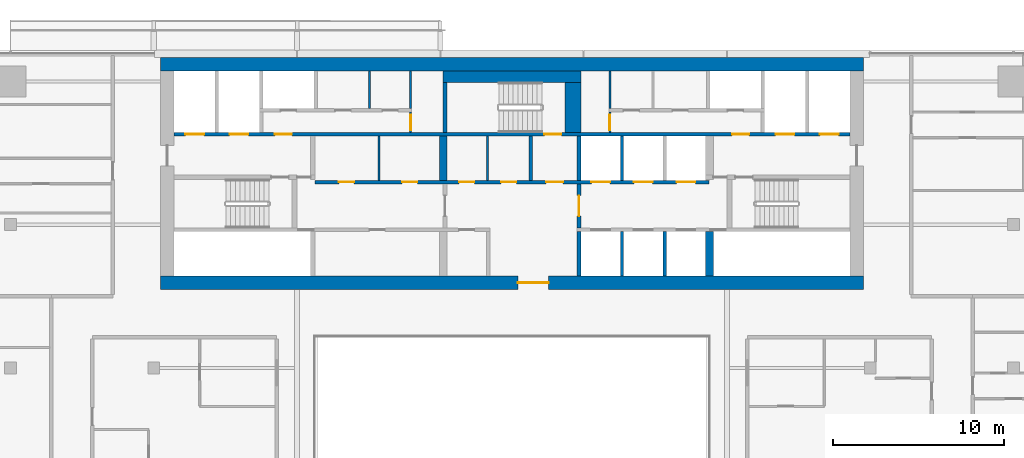
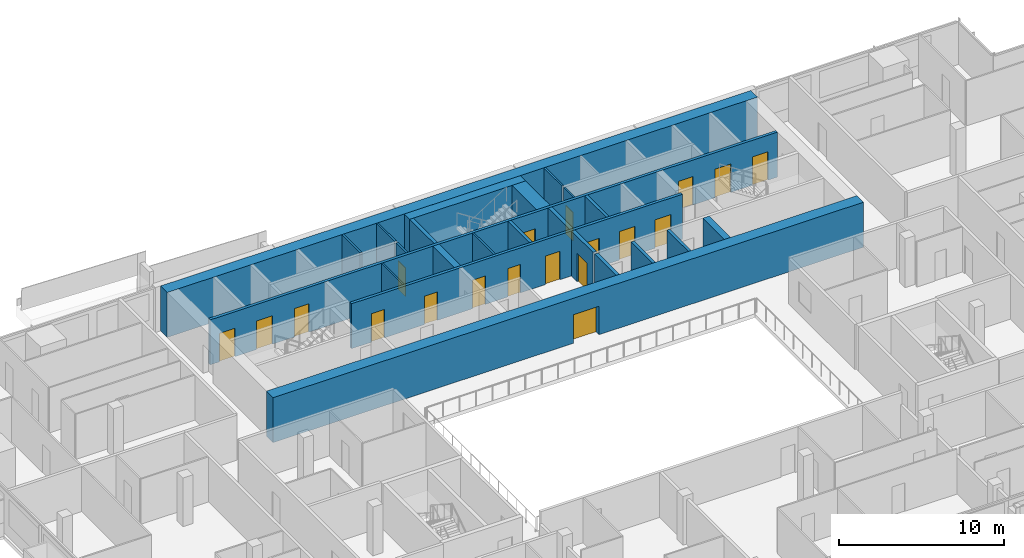
# One storey, part 21 of 28: 23 walls, 19 doors, 19 openings.
"""IFC4 building model written with IfcOpenShell, lengths in metres."""

from ifc_helpers import new_model, si_unit, direction, frame, frame_2d, origin, place, context, subcontext, project, spatial, rectangle, extrude, material, layer, layer_set, type_object, element, fill, save


model = new_model("IFC4")

# Units and contexts
model_context = context("Model", 3, precision=1e-05, world=origin(), true_north=direction((0.0, 1.0)))
body_context = subcontext(model_context, "Body", "Model", "MODEL_VIEW")
ifc_project = project(units=[si_unit("LENGTHUNIT", "METRE"), si_unit("AREAUNIT", "SQUARE_METRE"), si_unit("VOLUMEUNIT", "CUBIC_METRE"), si_unit("PLANEANGLEUNIT", "RADIAN"), si_unit("MASSUNIT", "GRAM", prefix="KILO")], contexts=[model_context])

# Site, building, storey
site_placement = place(None, origin())
site = spatial("IfcSite", under=ifc_project, at=site_placement, CompositionType="ELEMENT")
building_placement = place(site_placement, origin())
building = spatial("IfcBuilding", under=site, at=building_placement, Name="Saffron Gate Tower", CompositionType="ELEMENT")
storey_placement = place(building_placement, frame((0.0, 0.0, 154.64990234375)))
storey = spatial("IfcBuildingStorey", under=building, at=storey_placement, Name="L37", CompositionType="ELEMENT", Elevation=154.64990234375)

# Wall
ifc_material_1 = material(Name="Gypsum board partition on steel studs", Category="steel")
ifc_layer_1 = layer(ifc_material_1, 0.199951171875)
ifc_layer_set_1 = layer_set([ifc_layer_1], Name="CW10 Core partition 200")
wall_type_1 = type_object("IfcWallType", Name="CW10 Core partition 200", PredefinedType="PARTITIONING", material=ifc_layer_set_1)
wall_1_placement = place(storey_placement, frame((88.699951171875, 68.0, 0.0), z_axis=(0.0, 0.0, 1.0), x_axis=(0.0, 1.0, 0.0)))
element("IfcWall", 1, at=wall_1_placement, inside=storey, type_object=wall_type_1, Name="Wall CW10-L37-22", PredefinedType="PARTITIONING", context=body_context, shape_type="SweptSolid", body=[
    extrude(rectangle(XDim=2.60009765625, YDim=0.199951171875, at=frame_2d((1.300048828125, 0.0))), origin(), (0.0, 0.0, 1.0), 3.320068359375),
])

# Wall, opening, door
ifc_material_2 = material(Name="Concrete C60", Category="concrete")
ifc_layer_2 = layer(ifc_material_2, 0.800048828125)
ifc_layer_set_2 = layer_set([ifc_layer_2], Name="CW13 RC core wall 800 C60")
wall_type_2 = type_object("IfcWallType", Name="CW13 RC core wall 800 C60", PredefinedType="SOLIDWALL", material=ifc_layer_set_2)
wall_2_placement = place(storey_placement, frame((67.0, 62.0, 0.0), z_axis=(0.0, 0.0, 1.0), x_axis=(1.0, 0.0, 0.0)))
wall_2 = element("IfcWall", 2, at=wall_2_placement, inside=storey, type_object=wall_type_2, Name="Wall CW13-L37-1", PredefinedType="SOLIDWALL", context=body_context, shape_type="SweptSolid", body=[
    extrude(rectangle(XDim=41.199951171875, YDim=0.800048828125, at=frame_2d((20.60009765625, 0.0))), origin(), (0.0, 0.0, 1.0), 3.320068359375),
])
opening_1_placement = place(wall_2_placement, frame((20.949951171875, 0.0, 0.0)))
opening_1 = element("IfcOpeningElement", 3, at=opening_1_placement, cuts=wall_2, Name="Opening CR-09", PredefinedType="OPENING", context=body_context, shape_type="SweptSolid", body=[
    extrude(rectangle(XDim=1.800048828125, YDim=2.10009765625, at=frame_2d((0.89990234375, 1.050048828125))), frame((0.0, 0.41015625, 0.0), z_axis=(0.0, -1.0, 0.0), x_axis=(1.0, 0.0, 0.0)), (0.0, 0.0, 1.0), 0.820068359375),
])
ifc_material_3 = material(Name="Steel fire door set", Category="steel")
door_type_1 = type_object("IfcDoorType", Name="CD1 Core entrance door 1800x2100 EI 120", OperationType="NOTDEFINED", PredefinedType="DOOR", material=ifc_material_3)
door_1_placement = place(opening_1_placement, origin())
door_1 = element("IfcDoor", 4, at=door_1_placement, inside=storey, type_object=door_type_1, Name="DOOR CR-09", OperationType="DOUBLE_DOOR_SINGLE_SWING", OverallHeight=2.10009765625, OverallWidth=1.800048828125, PredefinedType="DOOR", context=body_context, shape_type="SweptSolid", body=[
    extrude(rectangle(XDim=1.800048828125, YDim=2.10009765625, at=frame_2d((0.89990234375, 1.050048828125))), frame((0.0, 0.02490234375, 0.0), z_axis=(0.0, -1.0, 0.0), x_axis=(1.0, 0.0, 0.0)), (0.0, 0.0, 1.0), 0.050048828125),
])
fill(opening_1, door_1)

# Walls
wall_3_placement = place(storey_placement, frame((67.0, 74.800048828125, 0.0), z_axis=(0.0, 0.0, 1.0), x_axis=(1.0, 0.0, 0.0)))
element("IfcWall", 5, at=wall_3_placement, inside=storey, type_object=wall_type_2, Name="Wall CW13-L37-2", PredefinedType="SOLIDWALL", context=body_context, shape_type="SweptSolid", body=[
    extrude(rectangle(XDim=41.199951171875, YDim=0.800048828125, at=frame_2d((20.60009765625, 0.0))), origin(), (0.0, 0.0, 1.0), 3.320068359375),
])
ifc_layer_3 = layer(ifc_material_2, 0.25)
ifc_layer_set_3 = layer_set([ifc_layer_3], Name="CW14 RC core wall 250 C60")
wall_type_3 = type_object("IfcWallType", Name="CW14 RC core wall 250 C60", PredefinedType="SOLIDWALL", material=ifc_layer_set_3)
wall_4_placement = place(storey_placement, frame((91.52490234375, 62.39990234375, 0.0), z_axis=(0.0, 0.0, 1.0), x_axis=(0.0, 1.0, 0.0)))
element("IfcWall", 6, at=wall_4_placement, inside=storey, type_object=wall_type_3, Name="Wall CW14-L37-8", PredefinedType="SOLIDWALL", context=body_context, shape_type="SweptSolid", body=[
    extrude(rectangle(XDim=2.60009765625, YDim=0.25, at=frame_2d((1.300048828125, 0.0))), origin(), (0.0, 0.0, 1.0), 3.320068359375),
])

# Wall, opening, door
wall_5_placement = place(storey_placement, frame((91.52490234375, 65.199951171875, 0.0), z_axis=(0.0, 0.0, 1.0), x_axis=(0.0, 1.0, 0.0)))
wall_5 = element("IfcWall", 7, at=wall_5_placement, inside=storey, type_object=wall_type_3, Name="Wall CW14-L37-16", PredefinedType="SOLIDWALL", context=body_context, shape_type="SweptSolid", body=[
    extrude(rectangle(XDim=2.60009765625, YDim=0.25, at=frame_2d((1.300048828125, 0.0))), origin(), (0.0, 0.0, 1.0), 3.320068359375),
])
opening_2_placement = place(wall_5_placement, frame((0.699951171875, 0.0, 0.0)))
opening_2 = element("IfcOpeningElement", 8, at=opening_2_placement, cuts=wall_5, Name="Opening CR-01", PredefinedType="OPENING", context=body_context, shape_type="SweptSolid", body=[
    extrude(rectangle(XDim=1.199951171875, YDim=2.10009765625, at=frame_2d((0.60009765625, 1.050048828125))), frame((0.0, 0.135009765625, 0.0), z_axis=(0.0, -1.0, 0.0), x_axis=(1.0, 0.0, 0.0)), (0.0, 0.0, 1.0), 0.27001953125),
])
door_type_2 = type_object("IfcDoorType", Name="CD3 Lobby door 1200x2100 EI 120", OperationType="NOTDEFINED", PredefinedType="DOOR", material=ifc_material_3)
door_2_placement = place(opening_2_placement, origin())
door_2 = element("IfcDoor", 9, at=door_2_placement, inside=storey, type_object=door_type_2, Name="DOOR CR-01", OperationType="SINGLE_SWING_RIGHT", OverallHeight=2.10009765625, OverallWidth=1.199951171875, PredefinedType="DOOR", context=body_context, shape_type="SweptSolid", body=[
    extrude(rectangle(XDim=1.199951171875, YDim=2.10009765625, at=frame_2d((0.60009765625, 1.050048828125))), frame((0.0, 0.02490234375, 0.0), z_axis=(0.0, -1.0, 0.0), x_axis=(1.0, 0.0, 0.0)), (0.0, 0.0, 1.0), 0.050048828125),
])
fill(opening_2, door_2)

# Walls
wall_6_placement = place(storey_placement, frame((91.52490234375, 68.0, 0.0), z_axis=(0.0, 0.0, 1.0), x_axis=(0.0, 1.0, 0.0)))
element("IfcWall", 10, at=wall_6_placement, inside=storey, type_object=wall_type_3, Name="Wall CW14-L37-23", PredefinedType="SOLIDWALL", context=body_context, shape_type="SweptSolid", body=[
    extrude(rectangle(XDim=2.60009765625, YDim=0.25, at=frame_2d((1.300048828125, 0.0))), origin(), (0.0, 0.0, 1.0), 3.320068359375),
])
wall_7_placement = place(storey_placement, frame((83.675048828125, 70.800048828125, 0.0), z_axis=(0.0, 0.0, 1.0), x_axis=(0.0, 1.0, 0.0)))
element("IfcWall", 11, at=wall_7_placement, inside=storey, type_object=wall_type_3, Name="Wall CW14-L37-35", PredefinedType="SOLIDWALL", context=body_context, shape_type="SweptSolid", body=[
    extrude(rectangle(XDim=2.949951171875, YDim=0.25, at=frame_2d((1.47509765625, 0.0))), origin(), (0.0, 0.0, 1.0), 3.320068359375),
])
ifc_layer_4 = layer(ifc_material_2, 0.199951171875)
ifc_layer_set_4 = layer_set([ifc_layer_4], Name="CW15 RC core wall 200 C60")
wall_type_4 = type_object("IfcWallType", Name="CW15 RC core wall 200 C60", PredefinedType="SOLIDWALL", material=ifc_layer_set_4)
for number, where, z_axis, x_axis, name in (
    (12, (94.050048828125, 62.39990234375, 0.0), (0.0, 0.0, 1.0), (0.0, 1.0, 0.0), "Wall CW15-L37-9"),
    (13, (96.550048828125, 62.39990234375, 0.0), (0.0, 0.0, 1.0), (0.0, 1.0, 0.0), "Wall CW15-L37-10"),
):
    element("IfcWall", number, at=place(storey_placement, frame(where, z_axis=z_axis, x_axis=x_axis)), inside=storey, type_object=wall_type_4, Name=name, PredefinedType="SOLIDWALL", context=body_context, shape_type="SweptSolid", body=[
        extrude(rectangle(XDim=2.60009765625, YDim=0.199951171875, at=frame_2d((1.300048828125, 0.0))), origin(), (0.0, 0.0, 1.0), 3.320068359375),
    ])

# Wall, openings, doors
wall_8_placement = place(storey_placement, frame((76.050048828125, 67.89990234375, 0.0), z_axis=(0.0, 0.0, 1.0), x_axis=(1.0, 0.0, 0.0)))
wall_8 = element("IfcWall", 14, at=wall_8_placement, inside=storey, type_object=wall_type_4, Name="Wall CW15-L37-18", PredefinedType="SOLIDWALL", context=body_context, shape_type="SweptSolid", body=[
    extrude(rectangle(XDim=23.099853515625, YDim=0.199951171875, at=frame_2d((11.5498046875, 0.0))), origin(), (0.0, 0.0, 1.0), 3.320068359375),
])
opening_3_placement = place(wall_8_placement, frame((1.39990234375, 0.0, 0.0)))
opening_3 = element("IfcOpeningElement", 15, at=opening_3_placement, cuts=wall_8, Name="Opening CR-61", PredefinedType="OPENING", context=body_context, shape_type="SweptSolid", body=[
    extrude(rectangle(XDim=0.89990234375, YDim=2.10009765625, at=frame_2d((0.449951171875, 1.050048828125))), frame((0.0, 0.10986328125, 0.0), z_axis=(0.0, -1.0, 0.0), x_axis=(1.0, 0.0, 0.0)), (0.0, 0.0, 1.0), 0.219970703125),
])
opening_4_placement = place(wall_8_placement, frame((5.110107421875, 0.0, 0.0)))
opening_4 = element("IfcOpeningElement", 16, at=opening_4_placement, cuts=wall_8, Name="Opening CR-62", PredefinedType="OPENING", context=body_context, shape_type="SweptSolid", body=[
    extrude(rectangle(XDim=0.89990234375, YDim=2.10009765625, at=frame_2d((0.449951171875, 1.050048828125))), frame((0.0, 0.10986328125, 0.0), z_axis=(0.0, -1.0, 0.0), x_axis=(1.0, 0.0, 0.0)), (0.0, 0.0, 1.0), 0.219970703125),
])
opening_5_placement = place(wall_8_placement, frame((8.449951171875, 0.0, 0.0)))
opening_5 = element("IfcOpeningElement", 17, at=opening_5_placement, cuts=wall_8, Name="Opening CR-67", PredefinedType="OPENING", context=body_context, shape_type="SweptSolid", body=[
    extrude(rectangle(XDim=0.89990234375, YDim=2.10009765625, at=frame_2d((0.449951171875, 1.050048828125))), frame((0.0, 0.10986328125, 0.0), z_axis=(0.0, -1.0, 0.0), x_axis=(1.0, 0.0, 0.0)), (0.0, 0.0, 1.0), 0.219970703125),
])
opening_6_placement = place(wall_8_placement, frame((10.909912109375, 0.0, 0.0)))
opening_6 = element("IfcOpeningElement", 18, at=opening_6_placement, cuts=wall_8, Name="Opening CR-68", PredefinedType="OPENING", context=body_context, shape_type="SweptSolid", body=[
    extrude(rectangle(XDim=0.89990234375, YDim=2.10009765625, at=frame_2d((0.449951171875, 1.050048828125))), frame((0.0, 0.10986328125, 0.0), z_axis=(0.0, -1.0, 0.0), x_axis=(1.0, 0.0, 0.0)), (0.0, 0.0, 1.0), 0.219970703125),
])
opening_7_placement = place(wall_8_placement, frame((13.550048828125, 0.0, 0.0)))
opening_7 = element("IfcOpeningElement", 19, at=opening_7_placement, cuts=wall_8, Name="Opening CR-02", PredefinedType="OPENING", context=body_context, shape_type="SweptSolid", body=[
    extrude(rectangle(XDim=1.0, YDim=2.10009765625, at=frame_2d((0.5, 1.050048828125))), frame((0.0, 0.10986328125, 0.0), z_axis=(0.0, -1.0, 0.0), x_axis=(1.0, 0.0, 0.0)), (0.0, 0.0, 1.0), 0.219970703125),
])
opening_8_placement = place(wall_8_placement, frame((16.199951171875, 0.0, 0.0)))
opening_8 = element("IfcOpeningElement", 20, at=opening_8_placement, cuts=wall_8, Name="Opening LD-HR4", PredefinedType="OPENING", context=body_context, shape_type="SweptSolid", body=[
    extrude(rectangle(XDim=1.10009765625, YDim=2.10009765625, at=frame_2d((0.550048828125, 1.050048828125))), frame((0.0, 0.10986328125, 0.0), z_axis=(0.0, -1.0, 0.0), x_axis=(1.0, 0.0, 0.0)), (0.0, 0.0, 1.0), 0.219970703125),
])
opening_9_placement = place(wall_8_placement, frame((18.699951171875, 0.0, 0.0)))
opening_9 = element("IfcOpeningElement", 21, at=opening_9_placement, cuts=wall_8, Name="Opening LD-HR5", PredefinedType="OPENING", context=body_context, shape_type="SweptSolid", body=[
    extrude(rectangle(XDim=1.10009765625, YDim=2.10009765625, at=frame_2d((0.550048828125, 1.050048828125))), frame((0.0, 0.10986328125, 0.0), z_axis=(0.0, -1.0, 0.0), x_axis=(1.0, 0.0, 0.0)), (0.0, 0.0, 1.0), 0.219970703125),
])
opening_10_placement = place(wall_8_placement, frame((21.199951171875, 0.0, 0.0)))
opening_10 = element("IfcOpeningElement", 22, at=opening_10_placement, cuts=wall_8, Name="Opening LD-HR6", PredefinedType="OPENING", context=body_context, shape_type="SweptSolid", body=[
    extrude(rectangle(XDim=1.10009765625, YDim=2.10009765625, at=frame_2d((0.550048828125, 1.050048828125))), frame((0.0, 0.10986328125, 0.0), z_axis=(0.0, -1.0, 0.0), x_axis=(1.0, 0.0, 0.0)), (0.0, 0.0, 1.0), 0.219970703125),
])
door_type_3 = type_object("IfcDoorType", Name="CD4 Lobby door 1000x2100 EI 120", OperationType="NOTDEFINED", PredefinedType="DOOR", material=ifc_material_3)
door_3_placement = place(opening_7_placement, origin())
door_3 = element("IfcDoor", 23, at=door_3_placement, inside=storey, type_object=door_type_3, Name="DOOR CR-02", OperationType="SINGLE_SWING_LEFT", OverallHeight=2.10009765625, OverallWidth=1.0, PredefinedType="DOOR", context=body_context, shape_type="SweptSolid", body=[
    extrude(rectangle(XDim=1.0, YDim=2.10009765625, at=frame_2d((0.5, 1.050048828125))), frame((0.0, 0.02490234375, 0.0), z_axis=(0.0, -1.0, 0.0), x_axis=(1.0, 0.0, 0.0)), (0.0, 0.0, 1.0), 0.050048828125),
])
fill(opening_7, door_3)
door_type_4 = type_object("IfcDoorType", Name="CD9 Room door 900x2100 EI 60", OperationType="NOTDEFINED", PredefinedType="DOOR", material=ifc_material_3)
door_4_placement = place(opening_3_placement, origin())
door_4 = element("IfcDoor", 24, at=door_4_placement, inside=storey, type_object=door_type_4, Name="DOOR CR-61", OperationType="SINGLE_SWING_LEFT", OverallHeight=2.10009765625, OverallWidth=0.89990234375, PredefinedType="DOOR", context=body_context, shape_type="SweptSolid", body=[
    extrude(rectangle(XDim=0.89990234375, YDim=2.10009765625, at=frame_2d((0.449951171875, 1.050048828125))), frame((0.0, 0.02490234375, 0.0), z_axis=(0.0, -1.0, 0.0), x_axis=(1.0, 0.0, 0.0)), (0.0, 0.0, 1.0), 0.050048828125),
])
fill(opening_3, door_4)
door_5_placement = place(opening_4_placement, origin())
door_5 = element("IfcDoor", 25, at=door_5_placement, inside=storey, type_object=door_type_4, Name="DOOR CR-62", OperationType="SINGLE_SWING_LEFT", OverallHeight=2.10009765625, OverallWidth=0.89990234375, PredefinedType="DOOR", context=body_context, shape_type="SweptSolid", body=[
    extrude(rectangle(XDim=0.89990234375, YDim=2.10009765625, at=frame_2d((0.449951171875, 1.050048828125))), frame((0.0, 0.02490234375, 0.0), z_axis=(0.0, -1.0, 0.0), x_axis=(1.0, 0.0, 0.0)), (0.0, 0.0, 1.0), 0.050048828125),
])
fill(opening_4, door_5)
door_6_placement = place(opening_5_placement, origin())
door_6 = element("IfcDoor", 26, at=door_6_placement, inside=storey, type_object=door_type_4, Name="DOOR CR-67", OperationType="SINGLE_SWING_LEFT", OverallHeight=2.10009765625, OverallWidth=0.89990234375, PredefinedType="DOOR", context=body_context, shape_type="SweptSolid", body=[
    extrude(rectangle(XDim=0.89990234375, YDim=2.10009765625, at=frame_2d((0.449951171875, 1.050048828125))), frame((0.0, 0.02490234375, 0.0), z_axis=(0.0, -1.0, 0.0), x_axis=(1.0, 0.0, 0.0)), (0.0, 0.0, 1.0), 0.050048828125),
])
fill(opening_5, door_6)
door_7_placement = place(opening_6_placement, origin())
door_7 = element("IfcDoor", 27, at=door_7_placement, inside=storey, type_object=door_type_4, Name="DOOR CR-68", OperationType="SINGLE_SWING_LEFT", OverallHeight=2.10009765625, OverallWidth=0.89990234375, PredefinedType="DOOR", context=body_context, shape_type="SweptSolid", body=[
    extrude(rectangle(XDim=0.89990234375, YDim=2.10009765625, at=frame_2d((0.449951171875, 1.050048828125))), frame((0.0, 0.02490234375, 0.0), z_axis=(0.0, -1.0, 0.0), x_axis=(1.0, 0.0, 0.0)), (0.0, 0.0, 1.0), 0.050048828125),
])
fill(opening_6, door_7)
ifc_material_4 = material(Name="Stainless steel landing door", Category="steel")
door_type_5 = type_object("IfcDoorType", Name="LD Lift landing door 1100x2100 EI 120", OperationType="SLIDING_TO_LEFT", PredefinedType="DOOR", material=ifc_material_4)
door_8_placement = place(opening_8_placement, origin())
door_8 = element("IfcDoor", 28, at=door_8_placement, inside=storey, type_object=door_type_5, Name="LANDING DOOR LD-HR4", OperationType="SLIDING_TO_RIGHT", OverallHeight=2.10009765625, OverallWidth=1.10009765625, PredefinedType="DOOR", context=body_context, shape_type="SweptSolid", body=[
    extrude(rectangle(XDim=1.10009765625, YDim=2.10009765625, at=frame_2d((0.550048828125, 1.050048828125))), frame((0.0, 0.02490234375, 0.0), z_axis=(0.0, -1.0, 0.0), x_axis=(1.0, 0.0, 0.0)), (0.0, 0.0, 1.0), 0.050048828125),
])
fill(opening_8, door_8)
door_9_placement = place(opening_9_placement, origin())
door_9 = element("IfcDoor", 29, at=door_9_placement, inside=storey, type_object=door_type_5, Name="LANDING DOOR LD-HR5", OperationType="SLIDING_TO_RIGHT", OverallHeight=2.10009765625, OverallWidth=1.10009765625, PredefinedType="DOOR", context=body_context, shape_type="SweptSolid", body=[
    extrude(rectangle(XDim=1.10009765625, YDim=2.10009765625, at=frame_2d((0.550048828125, 1.050048828125))), frame((0.0, 0.02490234375, 0.0), z_axis=(0.0, -1.0, 0.0), x_axis=(1.0, 0.0, 0.0)), (0.0, 0.0, 1.0), 0.050048828125),
])
fill(opening_9, door_9)
door_10_placement = place(opening_10_placement, origin())
door_10 = element("IfcDoor", 30, at=door_10_placement, inside=storey, type_object=door_type_5, Name="LANDING DOOR LD-HR6", OperationType="SLIDING_TO_RIGHT", OverallHeight=2.10009765625, OverallWidth=1.10009765625, PredefinedType="DOOR", context=body_context, shape_type="SweptSolid", body=[
    extrude(rectangle(XDim=1.10009765625, YDim=2.10009765625, at=frame_2d((0.550048828125, 1.050048828125))), frame((0.0, 0.02490234375, 0.0), z_axis=(0.0, -1.0, 0.0), x_axis=(1.0, 0.0, 0.0)), (0.0, 0.0, 1.0), 0.050048828125),
])
fill(opening_10, door_10)

# Wall
wall_9_placement = place(storey_placement, frame((94.050048828125, 68.0, 0.0), z_axis=(0.0, 0.0, 1.0), x_axis=(0.0, 1.0, 0.0)))
element("IfcWall", 31, at=wall_9_placement, inside=storey, type_object=wall_type_4, Name="Wall CW15-L37-24", PredefinedType="SOLIDWALL", context=body_context, shape_type="SweptSolid", body=[
    extrude(rectangle(XDim=2.60009765625, YDim=0.199951171875, at=frame_2d((1.300048828125, 0.0))), origin(), (0.0, 0.0, 1.0), 3.320068359375),
])

# Wall, openings, doors
wall_10_placement = place(storey_placement, frame((67.800048828125, 70.699951171875, 0.0), z_axis=(0.0, 0.0, 1.0), x_axis=(1.0, 0.0, 0.0)))
wall_10 = element("IfcWall", 32, at=wall_10_placement, inside=storey, type_object=wall_type_4, Name="Wall CW15-L37-31", PredefinedType="SOLIDWALL", context=body_context, shape_type="SweptSolid", body=[
    extrude(rectangle(XDim=39.599853515625, YDim=0.199951171875, at=frame_2d((19.7998046875, 0.0))), origin(), (0.0, 0.0, 1.0), 3.320068359375),
])
opening_11_placement = place(wall_10_placement, frame((0.64990234375, 0.0, 0.0)))
opening_11 = element("IfcOpeningElement", 33, at=opening_11_placement, cuts=wall_10, Name="Opening LD-FF1", PredefinedType="OPENING", context=body_context, shape_type="SweptSolid", body=[
    extrude(rectangle(XDim=1.10009765625, YDim=2.10009765625, at=frame_2d((0.550048828125, 1.050048828125))), frame((0.0, 0.10986328125, 0.0), z_axis=(0.0, -1.0, 0.0), x_axis=(1.0, 0.0, 0.0)), (0.0, 0.0, 1.0), 0.219970703125),
])
opening_12_placement = place(wall_10_placement, frame((3.25, 0.0, 0.0)))
opening_12 = element("IfcOpeningElement", 34, at=opening_12_placement, cuts=wall_10, Name="Opening LD-SV1", PredefinedType="OPENING", context=body_context, shape_type="SweptSolid", body=[
    extrude(rectangle(XDim=1.10009765625, YDim=2.10009765625, at=frame_2d((0.550048828125, 1.050048828125))), frame((0.0, 0.10986328125, 0.0), z_axis=(0.0, -1.0, 0.0), x_axis=(1.0, 0.0, 0.0)), (0.0, 0.0, 1.0), 0.219970703125),
])
opening_13_placement = place(wall_10_placement, frame((5.89990234375, 0.0, 0.0)))
opening_13 = element("IfcOpeningElement", 35, at=opening_13_placement, cuts=wall_10, Name="Opening CR-03", PredefinedType="OPENING", context=body_context, shape_type="SweptSolid", body=[
    extrude(rectangle(XDim=1.0, YDim=2.10009765625, at=frame_2d((0.5, 1.050048828125))), frame((0.0, 0.10986328125, 0.0), z_axis=(0.0, -1.0, 0.0), x_axis=(1.0, 0.0, 0.0)), (0.0, 0.0, 1.0), 0.219970703125),
])
opening_14_placement = place(wall_10_placement, frame((21.699951171875, 0.0, 0.0)))
opening_14 = element("IfcOpeningElement", 36, at=opening_14_placement, cuts=wall_10, Name="Opening CR-17", PredefinedType="OPENING", context=body_context, shape_type="SweptSolid", body=[
    extrude(rectangle(XDim=1.0, YDim=2.10009765625, at=frame_2d((0.5, 1.050048828125))), frame((0.0, 0.10986328125, 0.0), z_axis=(0.0, -1.0, 0.0), x_axis=(1.0, 0.0, 0.0)), (0.0, 0.0, 1.0), 0.219970703125),
])
opening_15_placement = place(wall_10_placement, frame((32.699951171875, 0.0, 0.0)))
opening_15 = element("IfcOpeningElement", 37, at=opening_15_placement, cuts=wall_10, Name="Opening CR-04", PredefinedType="OPENING", context=body_context, shape_type="SweptSolid", body=[
    extrude(rectangle(XDim=1.0, YDim=2.10009765625, at=frame_2d((0.5, 1.050048828125))), frame((0.0, 0.10986328125, 0.0), z_axis=(0.0, -1.0, 0.0), x_axis=(1.0, 0.0, 0.0)), (0.0, 0.0, 1.0), 0.219970703125),
])
opening_16_placement = place(wall_10_placement, frame((35.25, 0.0, 0.0)))
opening_16 = element("IfcOpeningElement", 38, at=opening_16_placement, cuts=wall_10, Name="Opening LD-SV2", PredefinedType="OPENING", context=body_context, shape_type="SweptSolid", body=[
    extrude(rectangle(XDim=1.10009765625, YDim=2.10009765625, at=frame_2d((0.550048828125, 1.050048828125))), frame((0.0, 0.10986328125, 0.0), z_axis=(0.0, -1.0, 0.0), x_axis=(1.0, 0.0, 0.0)), (0.0, 0.0, 1.0), 0.219970703125),
])
opening_17_placement = place(wall_10_placement, frame((37.85009765625, 0.0, 0.0)))
opening_17 = element("IfcOpeningElement", 39, at=opening_17_placement, cuts=wall_10, Name="Opening LD-FF2", PredefinedType="OPENING", context=body_context, shape_type="SweptSolid", body=[
    extrude(rectangle(XDim=1.10009765625, YDim=2.10009765625, at=frame_2d((0.550048828125, 1.050048828125))), frame((0.0, 0.10986328125, 0.0), z_axis=(0.0, -1.0, 0.0), x_axis=(1.0, 0.0, 0.0)), (0.0, 0.0, 1.0), 0.219970703125),
])
door_11_placement = place(opening_13_placement, origin())
door_11 = element("IfcDoor", 40, at=door_11_placement, inside=storey, type_object=door_type_3, Name="DOOR CR-03", OperationType="SINGLE_SWING_LEFT", OverallHeight=2.10009765625, OverallWidth=1.0, PredefinedType="DOOR", context=body_context, shape_type="SweptSolid", body=[
    extrude(rectangle(XDim=1.0, YDim=2.10009765625, at=frame_2d((0.5, 1.050048828125))), frame((0.0, 0.02490234375, 0.0), z_axis=(0.0, -1.0, 0.0), x_axis=(1.0, 0.0, 0.0)), (0.0, 0.0, 1.0), 0.050048828125),
])
fill(opening_13, door_11)
door_12_placement = place(opening_15_placement, origin())
door_12 = element("IfcDoor", 41, at=door_12_placement, inside=storey, type_object=door_type_3, Name="DOOR CR-04", OperationType="SINGLE_SWING_RIGHT", OverallHeight=2.10009765625, OverallWidth=1.0, PredefinedType="DOOR", context=body_context, shape_type="SweptSolid", body=[
    extrude(rectangle(XDim=1.0, YDim=2.10009765625, at=frame_2d((0.5, 1.050048828125))), frame((0.0, 0.02490234375, 0.0), z_axis=(0.0, -1.0, 0.0), x_axis=(1.0, 0.0, 0.0)), (0.0, 0.0, 1.0), 0.050048828125),
])
fill(opening_15, door_12)
door_type_6 = type_object("IfcDoorType", Name="CD5 Stair door 1000x2100 EI 120", OperationType="NOTDEFINED", PredefinedType="DOOR", material=ifc_material_3)
door_13_placement = place(opening_14_placement, origin())
door_13 = element("IfcDoor", 42, at=door_13_placement, inside=storey, type_object=door_type_6, Name="DOOR CR-17", OperationType="SINGLE_SWING_RIGHT", OverallHeight=2.10009765625, OverallWidth=1.0, PredefinedType="DOOR", context=body_context, shape_type="SweptSolid", body=[
    extrude(rectangle(XDim=1.0, YDim=2.10009765625, at=frame_2d((0.5, 1.050048828125))), frame((0.0, 0.02490234375, 0.0), z_axis=(0.0, -1.0, 0.0), x_axis=(1.0, 0.0, 0.0)), (0.0, 0.0, 1.0), 0.050048828125),
])
fill(opening_14, door_13)
door_14_placement = place(opening_11_placement, origin())
door_14 = element("IfcDoor", 43, at=door_14_placement, inside=storey, type_object=door_type_5, Name="LANDING DOOR LD-FF1", OperationType="SLIDING_TO_RIGHT", OverallHeight=2.10009765625, OverallWidth=1.10009765625, PredefinedType="DOOR", context=body_context, shape_type="SweptSolid", body=[
    extrude(rectangle(XDim=1.10009765625, YDim=2.10009765625, at=frame_2d((0.550048828125, 1.050048828125))), frame((0.0, 0.02490234375, 0.0), z_axis=(0.0, -1.0, 0.0), x_axis=(1.0, 0.0, 0.0)), (0.0, 0.0, 1.0), 0.050048828125),
])
fill(opening_11, door_14)
door_15_placement = place(opening_12_placement, origin())
door_15 = element("IfcDoor", 44, at=door_15_placement, inside=storey, type_object=door_type_5, Name="LANDING DOOR LD-SV1", OperationType="SLIDING_TO_RIGHT", OverallHeight=2.10009765625, OverallWidth=1.10009765625, PredefinedType="DOOR", context=body_context, shape_type="SweptSolid", body=[
    extrude(rectangle(XDim=1.10009765625, YDim=2.10009765625, at=frame_2d((0.550048828125, 1.050048828125))), frame((0.0, 0.02490234375, 0.0), z_axis=(0.0, -1.0, 0.0), x_axis=(1.0, 0.0, 0.0)), (0.0, 0.0, 1.0), 0.050048828125),
])
fill(opening_12, door_15)
door_16_placement = place(opening_16_placement, origin())
door_16 = element("IfcDoor", 45, at=door_16_placement, inside=storey, type_object=door_type_5, Name="LANDING DOOR LD-SV2", OperationType="SLIDING_TO_RIGHT", OverallHeight=2.10009765625, OverallWidth=1.10009765625, PredefinedType="DOOR", context=body_context, shape_type="SweptSolid", body=[
    extrude(rectangle(XDim=1.10009765625, YDim=2.10009765625, at=frame_2d((0.550048828125, 1.050048828125))), frame((0.0, 0.02490234375, 0.0), z_axis=(0.0, -1.0, 0.0), x_axis=(1.0, 0.0, 0.0)), (0.0, 0.0, 1.0), 0.050048828125),
])
fill(opening_16, door_16)
door_17_placement = place(opening_17_placement, origin())
door_17 = element("IfcDoor", 46, at=door_17_placement, inside=storey, type_object=door_type_5, Name="LANDING DOOR LD-FF2", OperationType="SLIDING_TO_RIGHT", OverallHeight=2.10009765625, OverallWidth=1.10009765625, PredefinedType="DOOR", context=body_context, shape_type="SweptSolid", body=[
    extrude(rectangle(XDim=1.10009765625, YDim=2.10009765625, at=frame_2d((0.550048828125, 1.050048828125))), frame((0.0, 0.02490234375, 0.0), z_axis=(0.0, -1.0, 0.0), x_axis=(1.0, 0.0, 0.0)), (0.0, 0.0, 1.0), 0.050048828125),
])
fill(opening_17, door_17)

# Walls
ifc_layer_5 = layer(ifc_material_2, 0.449951171875)
ifc_layer_set_5 = layer_set([ifc_layer_5], Name="CW16 RC core wall 450 C60")
wall_type_5 = type_object("IfcWallType", Name="CW16 RC core wall 450 C60", PredefinedType="SOLIDWALL", material=ifc_layer_set_5)
for number, where, z_axis, x_axis, name in (
    (47, (99.175048828125, 62.39990234375, 0.0), (0.0, 0.0, 1.0), (0.0, 1.0, 0.0), "Wall CW16-L37-11"),
    (48, (83.574951171875, 68.0, 0.0), (0.0, 0.0, 1.0), (0.0, 1.0, 0.0), "Wall CW16-L37-20"),
):
    element("IfcWall", number, at=place(storey_placement, frame(where, z_axis=z_axis, x_axis=x_axis)), inside=storey, type_object=wall_type_5, Name=name, PredefinedType="SOLIDWALL", context=body_context, shape_type="SweptSolid", body=[
        extrude(rectangle(XDim=2.60009765625, YDim=0.449951171875, at=frame_2d((1.300048828125, 0.0))), origin(), (0.0, 0.0, 1.0), 3.320068359375),
    ])
ifc_layer_6 = layer(ifc_material_2, 0.949951171875)
ifc_layer_set_6 = layer_set([ifc_layer_6], Name="CW19 RC core wall 950 C60")
wall_type_6 = type_object("IfcWallType", Name="CW19 RC core wall 950 C60", PredefinedType="SOLIDWALL", material=ifc_layer_set_6)
wall_11_placement = place(storey_placement, frame((91.175048828125, 70.800048828125, 0.0), z_axis=(0.0, 0.0, 1.0), x_axis=(0.0, 1.0, 0.0)))
element("IfcWall", 49, at=wall_11_placement, inside=storey, type_object=wall_type_6, Name="Wall CW19-L37-36", PredefinedType="SOLIDWALL", context=body_context, shape_type="SweptSolid", body=[
    extrude(rectangle(XDim=2.949951171875, YDim=0.949951171875, at=frame_2d((1.47509765625, 0.0))), origin(), (0.0, 0.0, 1.0), 3.320068359375),
])
ifc_layer_7 = layer(ifc_material_2, 0.64990234375)
ifc_layer_set_7 = layer_set([ifc_layer_7], Name="CW20 RC core wall 650 C60")
wall_type_7 = type_object("IfcWallType", Name="CW20 RC core wall 650 C60", PredefinedType="SOLIDWALL", material=ifc_layer_set_7)
wall_12_placement = place(storey_placement, frame((83.550048828125, 74.074951171875, 0.0), z_axis=(0.0, 0.0, 1.0), x_axis=(1.0, 0.0, 0.0)))
element("IfcWall", 50, at=wall_12_placement, inside=storey, type_object=wall_type_7, Name="Wall CW20-L37-50", PredefinedType="SOLIDWALL", context=body_context, shape_type="SweptSolid", body=[
    extrude(rectangle(XDim=8.099853515625, YDim=0.64990234375, at=frame_2d((4.0498046875, 0.0))), origin(), (0.0, 0.0, 1.0), 3.320068359375),
])
ifc_layer_8 = layer(ifc_material_1, 0.1201171875)
ifc_layer_set_8 = layer_set([ifc_layer_8], Name="CW8 Core partition 120")
wall_type_8 = type_object("IfcWallType", Name="CW8 Core partition 120", PredefinedType="PARTITIONING", material=ifc_layer_set_8)
for number, where, z_axis, x_axis, name in (
    (51, (79.81005859375, 68.0, 0.0), (0.0, 0.0, 1.0), (0.0, 1.0, 0.0), "Wall CW8-L37-19"),
    (52, (86.159912109375, 68.0, 0.0), (0.0, 0.0, 1.0), (0.0, 1.0, 0.0), "Wall CW8-L37-21"),
):
    element("IfcWall", number, at=place(storey_placement, frame(where, z_axis=z_axis, x_axis=x_axis)), inside=storey, type_object=wall_type_8, Name=name, PredefinedType="PARTITIONING", context=body_context, shape_type="SweptSolid", body=[
        extrude(rectangle(XDim=2.60009765625, YDim=0.1201171875, at=frame_2d((1.300048828125, 0.0))), origin(), (0.0, 0.0, 1.0), 3.320068359375),
    ])

# Wall, opening, door
wall_13_placement = place(storey_placement, frame((81.659912109375, 70.800048828125, 0.0), z_axis=(0.0, 0.0, 1.0), x_axis=(0.0, 1.0, 0.0)))
wall_13 = element("IfcWall", 53, at=wall_13_placement, inside=storey, type_object=wall_type_8, Name="Wall CW8-L37-34", PredefinedType="PARTITIONING", context=body_context, shape_type="SweptSolid", body=[
    extrude(rectangle(XDim=1.199951171875, YDim=0.1201171875, at=frame_2d((0.60009765625, 0.0))), origin(), (0.0, 0.0, 1.0), 3.320068359375),
])
opening_18_placement = place(wall_13_placement, frame((0.14990234375, 0.0, 0.0)))
opening_18 = element("IfcOpeningElement", 54, at=opening_18_placement, cuts=wall_13, Name="Opening CR-60", PredefinedType="OPENING", context=body_context, shape_type="SweptSolid", body=[
    extrude(rectangle(XDim=0.89990234375, YDim=2.10009765625, at=frame_2d((0.449951171875, 1.050048828125))), frame((0.0, 0.070068359375, 0.0), z_axis=(0.0, -1.0, 0.0), x_axis=(1.0, 0.0, 0.0)), (0.0, 0.0, 1.0), 0.14013671875),
])
door_18_placement = place(opening_18_placement, origin())
door_18 = element("IfcDoor", 55, at=door_18_placement, inside=storey, type_object=door_type_4, Name="DOOR CR-60", OperationType="SINGLE_SWING_RIGHT", OverallHeight=2.10009765625, OverallWidth=0.89990234375, PredefinedType="DOOR", context=body_context, shape_type="SweptSolid", body=[
    extrude(rectangle(XDim=0.89990234375, YDim=2.10009765625, at=frame_2d((0.449951171875, 1.050048828125))), frame((0.0, 0.02490234375, 0.0), z_axis=(0.0, -1.0, 0.0), x_axis=(1.0, 0.0, 0.0)), (0.0, 0.0, 1.0), 0.050048828125),
])
fill(opening_18, door_18)

wall_14_placement = place(storey_placement, frame((93.340087890625, 70.800048828125, 0.0), z_axis=(0.0, 0.0, 1.0), x_axis=(0.0, 1.0, 0.0)))
wall_14 = element("IfcWall", 56, at=wall_14_placement, inside=storey, type_object=wall_type_8, Name="Wall CW8-L37-37", PredefinedType="PARTITIONING", context=body_context, shape_type="SweptSolid", body=[
    extrude(rectangle(XDim=1.199951171875, YDim=0.1201171875, at=frame_2d((0.60009765625, 0.0))), origin(), (0.0, 0.0, 1.0), 3.320068359375),
])
opening_19_placement = place(wall_14_placement, frame((0.14990234375, 0.0, 0.0)))
opening_19 = element("IfcOpeningElement", 57, at=opening_19_placement, cuts=wall_14, Name="Opening CR-54", PredefinedType="OPENING", context=body_context, shape_type="SweptSolid", body=[
    extrude(rectangle(XDim=0.89990234375, YDim=2.10009765625, at=frame_2d((0.449951171875, 1.050048828125))), frame((0.0, 0.070068359375, 0.0), z_axis=(0.0, -1.0, 0.0), x_axis=(1.0, 0.0, 0.0)), (0.0, 0.0, 1.0), 0.14013671875),
])
door_19_placement = place(opening_19_placement, origin())
door_19 = element("IfcDoor", 58, at=door_19_placement, inside=storey, type_object=door_type_4, Name="DOOR CR-54", OperationType="SINGLE_SWING_LEFT", OverallHeight=2.10009765625, OverallWidth=0.89990234375, PredefinedType="DOOR", context=body_context, shape_type="SweptSolid", body=[
    extrude(rectangle(XDim=0.89990234375, YDim=2.10009765625, at=frame_2d((0.449951171875, 1.050048828125))), frame((0.0, 0.02490234375, 0.0), z_axis=(0.0, -1.0, 0.0), x_axis=(1.0, 0.0, 0.0)), (0.0, 0.0, 1.0), 0.050048828125),
])
fill(opening_19, door_19)

# Walls
for number, where, z_axis, x_axis, name in (
    (59, (79.260009765625, 72.199951171875, 0.0), (0.0, 0.0, 1.0), (0.0, 1.0, 0.0), "Wall CW8-L37-44"),
    (60, (81.659912109375, 72.199951171875, 0.0), (0.0, 0.0, 1.0), (0.0, 1.0, 0.0), "Wall CW8-L37-45"),
    (61, (93.340087890625, 72.199951171875, 0.0), (0.0, 0.0, 1.0), (0.0, 1.0, 0.0), "Wall CW8-L37-46"),
):
    element("IfcWall", number, at=place(storey_placement, frame(where, z_axis=z_axis, x_axis=x_axis)), inside=storey, type_object=wall_type_8, Name=name, PredefinedType="PARTITIONING", context=body_context, shape_type="SweptSolid", body=[
        extrude(rectangle(XDim=2.199951171875, YDim=0.1201171875, at=frame_2d((1.10009765625, 0.0))), origin(), (0.0, 0.0, 1.0), 3.320068359375),
    ])

save(model, "model.ifc")
